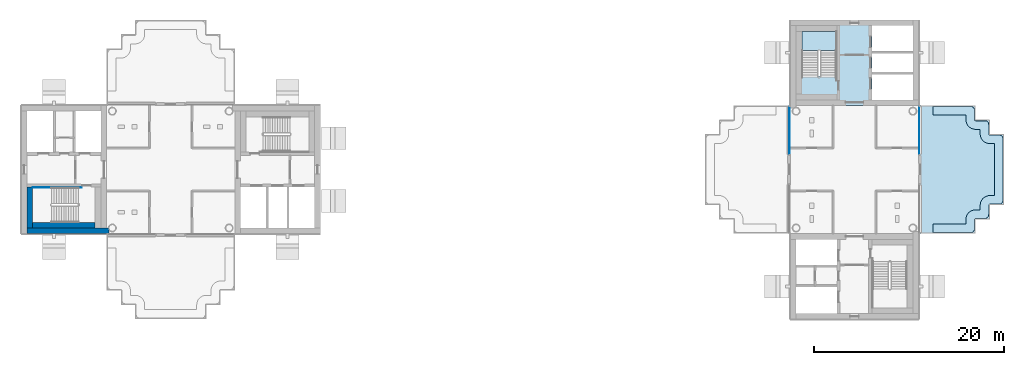
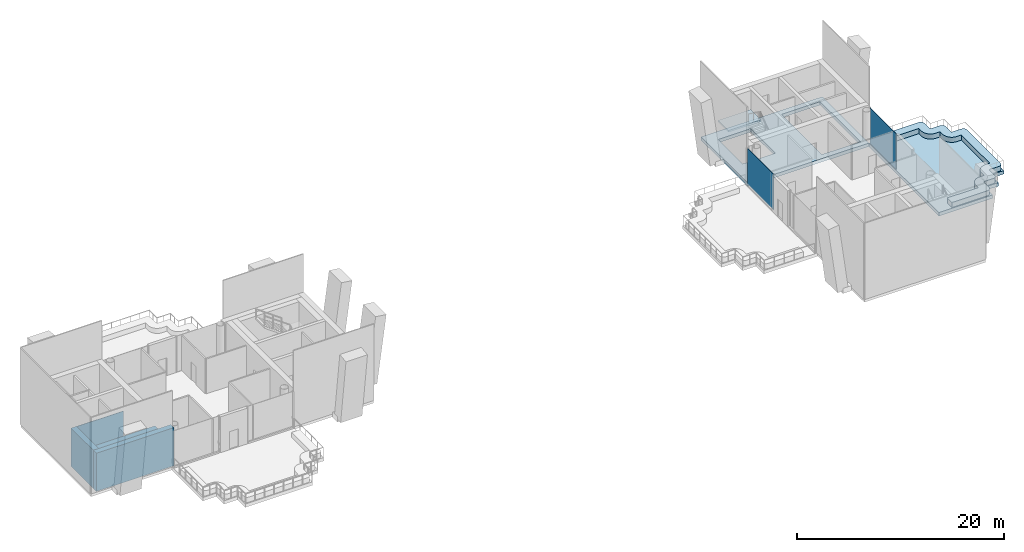
# One storey, part 6 of 17: 4 slabs, 4 walls, 2 plates, 3 elements without a shape of their own.
"""IFC4 building model written with IfcOpenShell, lengths in metres."""

from ifc_helpers import new_model, si_unit, direction, frame, frame_2d, origin, origin_2d, place, context, subcontext, project, spatial, polyline, rectangle, outline, extrude, material, layer, layer_set, type_object, element, aggregate, save


model = new_model("IFC4")

# Units and contexts
model_context = context("Model", 3, precision=1e-05, world=origin(), true_north=direction((0.0, 1.0)))
body_context = subcontext(model_context, "Body", "Model", "MODEL_VIEW")
ifc_project = project(units=[si_unit("LENGTHUNIT", "METRE"), si_unit("AREAUNIT", "SQUARE_METRE"), si_unit("VOLUMEUNIT", "CUBIC_METRE"), si_unit("PLANEANGLEUNIT", "RADIAN"), si_unit("MASSUNIT", "GRAM", prefix="KILO")], contexts=[model_context])

# Site, building, storey
site_placement = place(None, origin())
site = spatial("IfcSite", under=ifc_project, at=site_placement, CompositionType="ELEMENT")
building_placement = place(site_placement, origin())
building = spatial("IfcBuilding", under=site, at=building_placement, Name="Ipe Terrace Towers", CompositionType="ELEMENT")
storey_placement = place(building_placement, frame((0.0, 0.0, 246.89990234375)))
storey = spatial("IfcBuildingStorey", under=building, at=storey_placement, Name="L68", CompositionType="ELEMENT", Elevation=246.89990234375)

# Slab
ifc_material_1 = material(Name="Concrete C30/37", Category="concrete")
ifc_layer_1 = layer(ifc_material_1, 0.39990234375)
ifc_layer_set_1 = layer_set([ifc_layer_1], Name="CORE FLOOR SLAB 400 C30-37")
slab_type_1 = type_object("IfcSlabType", Name="CORE FLOOR SLAB 400 C30-37", PredefinedType="FLOOR", material=ifc_layer_set_1)
slab_1_placement = place(storey_placement, frame((0.0, 0.0, -0.39990234375)))
element("IfcSlab", 1, at=slab_1_placement, inside=storey, type_object=slab_type_1, Name="Core floor T2-C1", PredefinedType="FLOOR", context=body_context, shape_type="SweptSolid", body=[
    extrude(outline(polyline([(29.25, 6.75), (29.25, 15.75), (42.75, 15.75), (42.75, 6.75), (29.25, 6.75)]), holes=[polyline([(42.14990234375, 7.35009765625), (42.14990234375, 15.14990234375), (37.85009765625, 15.14990234375), (37.85009765625, 7.35009765625), (42.14990234375, 7.35009765625)]), polyline([(30.449951171875, 9.800048828125), (34.10009765625, 9.800048828125), (34.10009765625, 14.550048828125), (30.449951171875, 14.550048828125), (30.449951171875, 9.800048828125)])]), origin(), (0.0, 0.0, 1.0), 0.39990234375),
])

# Stair, slab
ifc_material_2 = material(Name="Concrete C30/37", Category="concrete")
stair_type = type_object("IfcStairType", Name="Protected exit stair", PredefinedType="HALF_TURN_STAIR", material=ifc_material_2)
stair_placement = place(storey_placement, origin())
stair = element("IfcStair", 2, at=stair_placement, inside=storey, type_object=stair_type, Name="L68 Exit stair T2-C1", PredefinedType="HALF_TURN_STAIR")
ifc_material_3 = material(Name="Concrete C30/37", Category="concrete")
ifc_layer_2 = layer(ifc_material_3, 0.199951171875)
ifc_layer_set_2 = layer_set([ifc_layer_2], Name="Exit stair landing 200")
slab_type_2 = type_object("IfcSlabType", Name="Exit stair landing 200", PredefinedType="LANDING", material=ifc_layer_set_2)
slab_2_placement = place(storey_placement, frame((0.0, 0.0, 2.050048828125)))
slab_2 = element("IfcSlab", 3, at=slab_2_placement, type_object=slab_type_2, Name="T2-ST1 landing 1", PredefinedType="LANDING", context=body_context, shape_type="SweptSolid", body=[
    extrude(outline(polyline([(34.10009765625, 12.56005859375), (34.10009765625, 14.550048828125), (30.449951171875, 14.550048828125), (30.449951171875, 12.56005859375), (34.10009765625, 12.56005859375)])), origin(), (0.0, 0.0, 1.0), 0.199951171875),
])
aggregate(stair, [slab_2])

# Slab
ifc_material_4 = material(Name="Concrete C40/50", Category="concrete")
ifc_layer_3 = layer(ifc_material_4, 0.39990234375)
ifc_layer_set_3 = layer_set([ifc_layer_3], Name="TERRACE DECK SLAB 400 C40-50")
slab_type_3 = type_object("IfcSlabType", Name="TERRACE DECK SLAB 400 C40-50", PredefinedType="FLOOR", material=ifc_layer_set_3)
slab_3_placement = place(storey_placement, frame((0.0, 0.0, -0.419921875)))
element("IfcSlab", 4, at=slab_3_placement, inside=storey, type_object=slab_type_3, Name="Slab T2-TD-L68-2", PredefinedType="FLOOR", context=body_context, shape_type="SweptSolid", body=[
    extrude(outline(polyline([(42.7548828125, 6.7451171875), (48.7451171875, 6.7451171875), (48.7451171875, 5.2451171875), (50.2451171875, 5.2451171875), (50.2451171875, 3.7451171875), (51.7451171875, 3.7451171875), (51.7451171875, -3.7451171875), (50.2451171875, -3.7451171875), (50.2451171875, -5.2451171875), (48.7451171875, -5.2451171875), (48.7451171875, -6.7451171875), (42.7548828125, -6.7451171875), (42.7548828125, 6.7451171875)])), origin(), (0.0, 0.0, 1.0), 0.39990234375),
])

# Curtain wall, plate
ifc_material_5 = material(Name="Aluminium alloy 6063-T6", Category="aluminium")
ifc_layer_4 = layer(ifc_material_5, 0.320068359375)
ifc_layer_set_4 = layer_set([ifc_layer_4], Name="TERRACE FRONT CURTAIN WALL")
curtain_wall_type = type_object("IfcCurtainWallType", Name="TERRACE FRONT CURTAIN WALL", PredefinedType="NOTDEFINED", material=ifc_layer_set_4)
curtain_wall_1_placement = place(storey_placement, origin())
curtain_wall_1 = element("IfcCurtainWall", 5, at=curtain_wall_1_placement, inside=storey, type_object=curtain_wall_type, Name="T2-CW-L68-00d curtain wall", PredefinedType="NOTDEFINED")
ifc_material_6 = material(Name="Glass, clear laminated", Category="glass")
ifc_layer_5 = layer(ifc_material_6, 0.028076171875)
ifc_layer_set_5 = layer_set([ifc_layer_5], Name="TERRACE FRONT GLASS PANEL 28")
plate_type = type_object("IfcPlateType", Name="TERRACE FRONT GLASS PANEL 28", PredefinedType="CURTAIN_PANEL", material=ifc_layer_set_5)
plate_1_placement = place(storey_placement, frame((42.830078125, 4.12451171875, -0.02001953125), z_axis=(0.0, 0.0, 1.0), x_axis=(0.0, 1.0, 0.0)))
plate_1 = element("IfcPlate", 6, at=plate_1_placement, type_object=plate_type, Name="T2-CW-L68-00d panel 1", PredefinedType="CURTAIN_PANEL", context=body_context, shape_type="SweptSolid", body=[
    extrude(rectangle(XDim=5.029052734375, YDim=0.028076171875, at=origin_2d()), origin(), (0.0, 0.0, 1.0), 4.219970703125),
])
aggregate(curtain_wall_1, [plate_1])

curtain_wall_2_placement = place(storey_placement, origin())
curtain_wall_2 = element("IfcCurtainWall", 7, at=curtain_wall_2_placement, inside=storey, type_object=curtain_wall_type, Name="T2-CW-L68-02b curtain wall", PredefinedType="NOTDEFINED")
plate_2_placement = place(storey_placement, frame((29.169921875, 4.12451171875, -0.02001953125), z_axis=(0.0, 0.0, 1.0), x_axis=(0.0, -1.0, 0.0)))
plate_2 = element("IfcPlate", 8, at=plate_2_placement, type_object=plate_type, Name="T2-CW-L68-02b panel 1", PredefinedType="CURTAIN_PANEL", context=body_context, shape_type="SweptSolid", body=[
    extrude(rectangle(XDim=5.029052734375, YDim=0.028076171875, at=origin_2d()), origin(), (0.0, 0.0, 1.0), 4.219970703125),
])
aggregate(curtain_wall_2, [plate_2])

# Slab
ifc_material_7 = material(Name="Concrete C30/37", Category="concrete")
ifc_layer_6 = layer(ifc_material_7, 0.60009765625)
ifc_layer_set_6 = layer_set([ifc_layer_6], Name="TERRACE PLANTING BED 900 x 600")
slab_type_4 = type_object("IfcSlabType", Name="TERRACE PLANTING BED 900 x 600", PredefinedType="USERDEFINED", material=ifc_layer_set_6)
slab_4_placement = place(storey_placement, frame((0.0, 0.0, -0.02001953125)))
element("IfcSlab", 9, at=slab_4_placement, inside=storey, type_object=slab_type_4, Name="planter", ObjectType="PLANTER", PredefinedType="USERDEFINED", context=body_context, shape_type="SweptSolid", body=[
    extrude(outline(polyline([(47.739990234375, -5.739990234375), (47.72998046875, -5.739990234375), (44.27001953125, -5.739990234375), (44.27001953125, -6.639892578125), (48.239990234375, -6.639892578125), (48.279052734375, -6.637939453125), (48.318115234375, -6.632080078125), (48.35595703125, -6.623046875), (48.39306640625, -6.610107421875), (48.428955078125, -6.593017578125), (48.4619140625, -6.572998046875), (48.493896484375, -6.549072265625), (48.52294921875, -6.52294921875), (48.549072265625, -6.493896484375), (48.572998046875, -6.4619140625), (48.593017578125, -6.428955078125), (48.610107421875, -6.39306640625), (48.623046875, -6.35595703125), (48.632080078125, -6.318115234375), (48.637939453125, -6.279052734375), (48.639892578125, -6.239990234375), (48.639892578125, -5.26611328125), (48.639892578125, -5.256103515625), (48.64111328125, -5.2490234375), (48.64208984375, -5.23388671875), (48.64404296875, -5.222900390625), (48.64697265625, -5.212890625), (48.65087890625, -5.202880859375), (48.656005859375, -5.194091796875), (48.662109375, -5.18505859375), (48.6689453125, -5.177001953125), (48.677001953125, -5.1689453125), (48.68505859375, -5.162109375), (48.694091796875, -5.156005859375), (48.702880859375, -5.15087890625), (48.712890625, -5.14697265625), (48.722900390625, -5.14404296875), (48.73388671875, -5.14208984375), (48.7490234375, -5.14111328125), (48.756103515625, -5.139892578125), (48.76611328125, -5.139892578125), (49.739990234375, -5.139892578125), (49.779052734375, -5.137939453125), (49.818115234375, -5.132080078125), (49.85595703125, -5.123046875), (49.89306640625, -5.110107421875), (49.928955078125, -5.093017578125), (49.9619140625, -5.072998046875), (49.993896484375, -5.049072265625), (50.02294921875, -5.02294921875), (50.049072265625, -4.993896484375), (50.072998046875, -4.9619140625), (50.093017578125, -4.928955078125), (50.110107421875, -4.89306640625), (50.123046875, -4.85595703125), (50.132080078125, -4.818115234375), (50.137939453125, -4.779052734375), (50.139892578125, -4.739990234375), (50.139892578125, -3.76611328125), (50.139892578125, -3.756103515625), (50.14111328125, -3.7490234375), (50.14208984375, -3.73388671875), (50.14404296875, -3.722900390625), (50.14697265625, -3.712890625), (50.15087890625, -3.702880859375), (50.156005859375, -3.694091796875), (50.162109375, -3.68505859375), (50.1689453125, -3.677001953125), (50.177001953125, -3.6689453125), (50.18505859375, -3.662109375), (50.194091796875, -3.656005859375), (50.202880859375, -3.65087890625), (50.212890625, -3.64697265625), (50.222900390625, -3.64404296875), (50.23388671875, -3.64208984375), (50.2490234375, -3.64111328125), (50.256103515625, -3.639892578125), (50.26611328125, -3.639892578125), (51.239990234375, -3.639892578125), (51.279052734375, -3.637939453125), (51.318115234375, -3.632080078125), (51.35595703125, -3.623046875), (51.39306640625, -3.610107421875), (51.428955078125, -3.593017578125), (51.4619140625, -3.572998046875), (51.493896484375, -3.549072265625), (51.52294921875, -3.52294921875), (51.549072265625, -3.493896484375), (51.572998046875, -3.4619140625), (51.593017578125, -3.428955078125), (51.610107421875, -3.39306640625), (51.623046875, -3.35595703125), (51.632080078125, -3.318115234375), (51.637939453125, -3.279052734375), (51.639892578125, -3.239990234375), (51.639892578125, 3.239990234375), (51.637939453125, 3.279052734375), (51.632080078125, 3.318115234375), (51.623046875, 3.35595703125), (51.610107421875, 3.39306640625), (51.593017578125, 3.428955078125), (51.572998046875, 3.4619140625), (51.549072265625, 3.493896484375), (51.52294921875, 3.52294921875), (51.493896484375, 3.549072265625), (51.4619140625, 3.572998046875), (51.428955078125, 3.593017578125), (51.39306640625, 3.610107421875), (51.35595703125, 3.623046875), (51.318115234375, 3.632080078125), (51.279052734375, 3.637939453125), (51.239990234375, 3.639892578125), (50.26611328125, 3.639892578125), (50.256103515625, 3.639892578125), (50.2490234375, 3.64111328125), (50.23388671875, 3.64208984375), (50.222900390625, 3.64404296875), (50.212890625, 3.64697265625), (50.202880859375, 3.65087890625), (50.194091796875, 3.656005859375), (50.18505859375, 3.662109375), (50.177001953125, 3.6689453125), (50.1689453125, 3.677001953125), (50.162109375, 3.68505859375), (50.156005859375, 3.694091796875), (50.15087890625, 3.702880859375), (50.14697265625, 3.712890625), (50.14404296875, 3.722900390625), (50.14208984375, 3.73388671875), (50.14111328125, 3.7490234375), (50.139892578125, 3.756103515625), (50.139892578125, 3.76611328125), (50.139892578125, 4.739990234375), (50.137939453125, 4.779052734375), (50.132080078125, 4.818115234375), (50.123046875, 4.85595703125), (50.110107421875, 4.89306640625), (50.093017578125, 4.928955078125), (50.072998046875, 4.9619140625), (50.049072265625, 4.993896484375), (50.02294921875, 5.02294921875), (49.993896484375, 5.049072265625), (49.9619140625, 5.072998046875), (49.928955078125, 5.093017578125), (49.89306640625, 5.110107421875), (49.85595703125, 5.123046875), (49.818115234375, 5.132080078125), (49.779052734375, 5.137939453125), (49.739990234375, 5.139892578125), (48.76611328125, 5.139892578125), (48.756103515625, 5.139892578125), (48.7490234375, 5.14111328125), (48.73388671875, 5.14208984375), (48.722900390625, 5.14404296875), (48.712890625, 5.14697265625), (48.702880859375, 5.15087890625), (48.694091796875, 5.156005859375), (48.68505859375, 5.162109375), (48.677001953125, 5.1689453125), (48.6689453125, 5.177001953125), (48.662109375, 5.18505859375), (48.656005859375, 5.194091796875), (48.65087890625, 5.202880859375), (48.64697265625, 5.212890625), (48.64404296875, 5.222900390625), (48.64208984375, 5.23388671875), (48.64111328125, 5.2490234375), (48.639892578125, 5.256103515625), (48.639892578125, 5.26611328125), (48.639892578125, 6.239990234375), (48.637939453125, 6.279052734375), (48.632080078125, 6.318115234375), (48.623046875, 6.35595703125), (48.610107421875, 6.39306640625), (48.593017578125, 6.428955078125), (48.572998046875, 6.4619140625), (48.549072265625, 6.493896484375), (48.52294921875, 6.52294921875), (48.493896484375, 6.549072265625), (48.4619140625, 6.572998046875), (48.428955078125, 6.593017578125), (48.39306640625, 6.610107421875), (48.35595703125, 6.623046875), (48.318115234375, 6.632080078125), (48.279052734375, 6.637939453125), (48.239990234375, 6.639892578125), (44.27001953125, 6.639892578125), (44.27001953125, 5.739990234375), (47.72998046875, 5.739990234375), (47.739990234375, 5.739990234375), (47.739990234375, 5.72998046875), (47.739990234375, 5.2490234375), (47.739990234375, 5.22900390625), (47.742919921875, 5.1708984375), (47.7470703125, 5.132080078125), (47.756103515625, 5.072021484375), (47.763916015625, 5.033935546875), (47.778076171875, 4.97607421875), (47.7900390625, 4.93798828125), (47.81005859375, 4.882080078125), (47.824951171875, 4.845947265625), (47.85009765625, 4.791015625), (47.868896484375, 4.757080078125), (47.89990234375, 4.705078125), (47.9208984375, 4.673095703125), (47.95703125, 4.625), (47.98193359375, 4.593994140625), (48.02197265625, 4.550048828125), (48.050048828125, 4.52197265625), (48.093994140625, 4.48193359375), (48.125, 4.45703125), (48.173095703125, 4.4208984375), (48.205078125, 4.39990234375), (48.257080078125, 4.368896484375), (48.291015625, 4.35009765625), (48.345947265625, 4.324951171875), (48.382080078125, 4.31005859375), (48.43798828125, 4.2900390625), (48.47607421875, 4.278076171875), (48.533935546875, 4.263916015625), (48.572021484375, 4.256103515625), (48.632080078125, 4.2470703125), (48.6708984375, 4.242919921875), (48.72900390625, 4.239990234375), (48.7490234375, 4.239990234375), (49.22998046875, 4.239990234375), (49.239990234375, 4.239990234375), (49.239990234375, 4.22998046875), (49.239990234375, 3.7490234375), (49.239990234375, 3.72900390625), (49.242919921875, 3.6708984375), (49.2470703125, 3.632080078125), (49.256103515625, 3.572021484375), (49.263916015625, 3.533935546875), (49.278076171875, 3.47607421875), (49.2900390625, 3.43798828125), (49.31005859375, 3.382080078125), (49.324951171875, 3.345947265625), (49.35009765625, 3.291015625), (49.368896484375, 3.257080078125), (49.39990234375, 3.205078125), (49.4208984375, 3.173095703125), (49.45703125, 3.125), (49.48193359375, 3.093994140625), (49.52197265625, 3.050048828125), (49.550048828125, 3.02197265625), (49.593994140625, 2.98193359375), (49.625, 2.95703125), (49.673095703125, 2.9208984375), (49.705078125, 2.89990234375), (49.757080078125, 2.868896484375), (49.791015625, 2.85009765625), (49.845947265625, 2.824951171875), (49.882080078125, 2.81005859375), (49.93798828125, 2.7900390625), (49.97607421875, 2.778076171875), (50.033935546875, 2.763916015625), (50.072021484375, 2.756103515625), (50.132080078125, 2.7470703125), (50.1708984375, 2.742919921875), (50.22900390625, 2.739990234375), (50.2490234375, 2.739990234375), (50.72998046875, 2.739990234375), (50.739990234375, 2.739990234375), (50.739990234375, 2.72998046875), (50.739990234375, -2.72998046875), (50.739990234375, -2.739990234375), (50.72998046875, -2.739990234375), (50.2490234375, -2.739990234375), (50.22900390625, -2.739990234375), (50.1708984375, -2.742919921875), (50.132080078125, -2.7470703125), (50.072021484375, -2.756103515625), (50.033935546875, -2.763916015625), (49.97607421875, -2.778076171875), (49.93798828125, -2.7900390625), (49.882080078125, -2.81005859375), (49.845947265625, -2.824951171875), (49.791015625, -2.85009765625), (49.757080078125, -2.868896484375), (49.705078125, -2.89990234375), (49.673095703125, -2.9208984375), (49.625, -2.95703125), (49.593994140625, -2.98193359375), (49.550048828125, -3.02197265625), (49.52197265625, -3.050048828125), (49.48193359375, -3.093994140625), (49.45703125, -3.125), (49.4208984375, -3.173095703125), (49.39990234375, -3.205078125), (49.368896484375, -3.257080078125), (49.35009765625, -3.291015625), (49.324951171875, -3.345947265625), (49.31005859375, -3.382080078125), (49.2900390625, -3.43798828125), (49.278076171875, -3.47607421875), (49.263916015625, -3.533935546875), (49.256103515625, -3.572021484375), (49.2470703125, -3.632080078125), (49.242919921875, -3.6708984375), (49.239990234375, -3.72900390625), (49.239990234375, -3.7490234375), (49.239990234375, -4.22998046875), (49.239990234375, -4.239990234375), (49.22998046875, -4.239990234375), (48.7490234375, -4.239990234375), (48.72900390625, -4.239990234375), (48.6708984375, -4.242919921875), (48.632080078125, -4.2470703125), (48.572021484375, -4.256103515625), (48.533935546875, -4.263916015625), (48.47607421875, -4.278076171875), (48.43798828125, -4.2900390625), (48.382080078125, -4.31005859375), (48.345947265625, -4.324951171875), (48.291015625, -4.35009765625), (48.257080078125, -4.368896484375), (48.205078125, -4.39990234375), (48.173095703125, -4.4208984375), (48.125, -4.45703125), (48.093994140625, -4.48193359375), (48.050048828125, -4.52197265625), (48.02197265625, -4.550048828125), (47.98193359375, -4.593994140625), (47.95703125, -4.625), (47.9208984375, -4.673095703125), (47.89990234375, -4.705078125), (47.868896484375, -4.757080078125), (47.85009765625, -4.791015625), (47.824951171875, -4.845947265625), (47.81005859375, -4.882080078125), (47.7900390625, -4.93798828125), (47.778076171875, -4.97607421875), (47.763916015625, -5.033935546875), (47.756103515625, -5.072021484375), (47.7470703125, -5.132080078125), (47.742919921875, -5.1708984375), (47.739990234375, -5.22900390625), (47.739990234375, -5.2490234375), (47.739990234375, -5.72998046875), (47.739990234375, -5.739990234375)])), origin(), (0.0, 0.0, 1.0), 0.60009765625),
])

# Walls
ifc_material_8 = material(Name="Concrete C40/50", Category="concrete")
ifc_layer_7 = layer(ifc_material_8, 0.050048828125)
ifc_layer_set_7 = layer_set([ifc_layer_7], Name="RW50 CORE INFILL WALL 50 C40-50")
wall_type_1 = type_object("IfcWallType", Name="RW50 CORE INFILL WALL 50 C40-50", PredefinedType="SHEAR", material=ifc_layer_set_7)
wall_1_placement = place(storey_placement, frame((-45.35009765625, -1.875, 0.0), z_axis=(0.0, 0.0, 1.0), x_axis=(-1.0, 0.0, 0.0)))
element("IfcWall", 10, at=wall_1_placement, inside=storey, type_object=wall_type_1, Name="Core infill wall T1-C2-spine-b", PredefinedType="SHEAR", context=body_context, shape_type="SweptSolid", body=[
    extrude(rectangle(XDim=5.199951171875, YDim=0.050048828125, at=frame_2d((2.60009765625, 0.0))), origin(), (0.0, 0.0, 1.0), 4.5),
])
ifc_material_9 = material(Name="Concrete C40/50", Category="concrete")
ifc_layer_8 = layer(ifc_material_9, 0.60009765625)
ifc_layer_set_8 = layer_set([ifc_layer_8], Name="RW600 CORE INFILL WALL 600 C40-50")
wall_type_2 = type_object("IfcWallType", Name="RW600 CORE INFILL WALL 600 C40-50", PredefinedType="SHEAR", material=ifc_layer_set_8)
wall_2_placement = place(storey_placement, frame((-50.85009765625, -1.85009765625, 0.0), z_axis=(0.0, 0.0, 1.0), x_axis=(0.0, -1.0, 0.0)))
element("IfcWall", 11, at=wall_2_placement, inside=storey, type_object=wall_type_2, Name="Core infill wall T1-C2-far", PredefinedType="SHEAR", context=body_context, shape_type="SweptSolid", body=[
    extrude(rectangle(XDim=4.2998046875, YDim=0.60009765625, at=frame_2d((2.14990234375, 0.0))), origin(), (0.0, 0.0, 1.0), 4.5),
])
wall_3_placement = place(storey_placement, frame((-43.949951171875, -5.85009765625, 0.0), z_axis=(0.0, 0.0, 1.0), x_axis=(-1.0, 0.0, 0.0)))
element("IfcWall", 12, at=wall_3_placement, inside=storey, type_object=wall_type_2, Name="Core infill wall T1-C2-back", PredefinedType="SHEAR", context=body_context, shape_type="SweptSolid", body=[
    extrude(rectangle(XDim=6.60009765625, YDim=0.60009765625, at=frame_2d((3.300048828125, 0.0))), origin(), (0.0, 0.0, 1.0), 4.5),
])
ifc_material_10 = material(Name="Concrete C40/50", Category="concrete")
ifc_layer_9 = layer(ifc_material_10, 0.60009765625)
ifc_layer_set_9 = layer_set([ifc_layer_9], Name="RW600 CORE WALL 600 C40-50")
wall_type_3 = type_object("IfcWallType", Name="RW600 CORE WALL 600 C40-50", PredefinedType="SHEAR", material=ifc_layer_set_9)
wall_4_placement = place(storey_placement, frame((-51.14990234375, -6.449951171875, 0.0), z_axis=(0.0, 0.0, 1.0), x_axis=(1.0, 0.0, 0.0)))
element("IfcWall", 13, at=wall_4_placement, inside=storey, type_object=wall_type_3, Name="Core wall T1-C2-Z4-W01", PredefinedType="SHEAR", context=body_context, shape_type="SweptSolid", body=[
    extrude(rectangle(XDim=8.64794921875, YDim=0.60009765625, at=frame_2d((4.323974609375, 0.0))), origin(), (0.0, 0.0, 1.0), 4.5),
])

save(model, "model.ifc")
